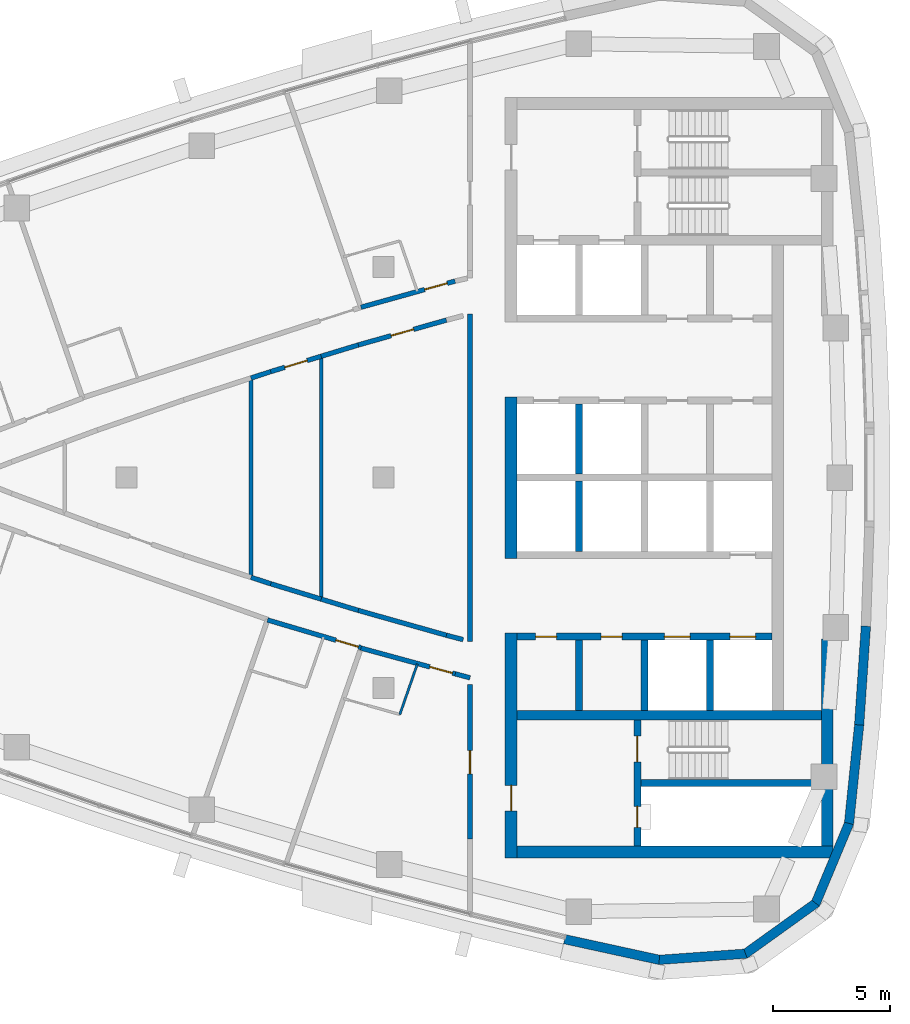
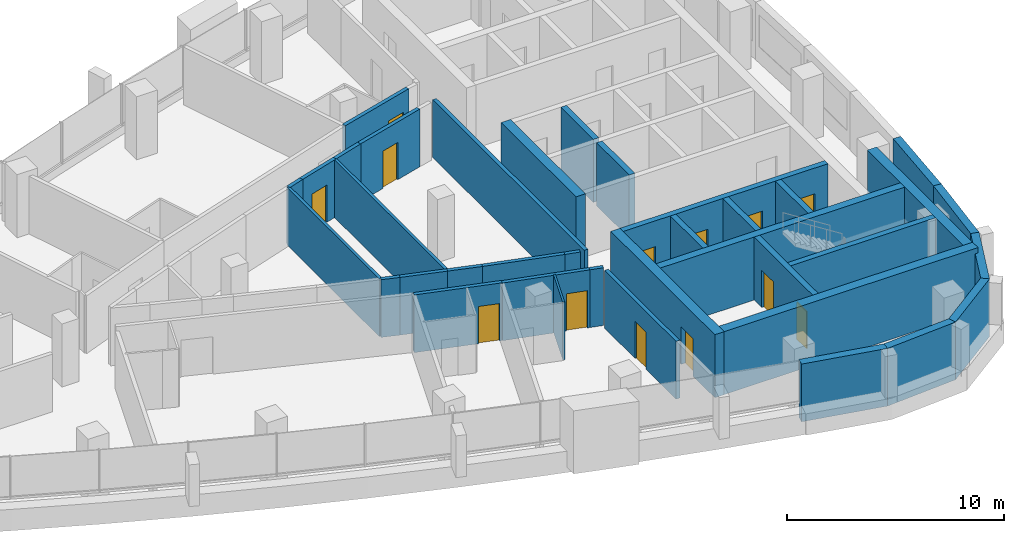
# One storey, part 8 of 14: 37 walls, 13 doors, 13 openings.
"""IFC4 building model written with IfcOpenShell, lengths in metres."""

from ifc_helpers import new_model, si_unit, direction, frame, frame_2d, origin, place, context, subcontext, project, spatial, polyline, rectangle, outline, extrude, material, layer, layer_set, type_object, element, fill, save


model = new_model("IFC4")

# Units and contexts
model_context = context("Model", 3, precision=1e-05, world=origin(), true_north=direction((0.0, 1.0)))
body_context = subcontext(model_context, "Body", "Model", "MODEL_VIEW")
ifc_project = project(units=[si_unit("LENGTHUNIT", "METRE"), si_unit("AREAUNIT", "SQUARE_METRE"), si_unit("VOLUMEUNIT", "CUBIC_METRE"), si_unit("PLANEANGLEUNIT", "RADIAN"), si_unit("MASSUNIT", "GRAM", prefix="KILO")], contexts=[model_context])

# Site, building, storey
site_placement = place(None, origin())
site = spatial("IfcSite", under=ifc_project, at=site_placement, CompositionType="ELEMENT")
building_placement = place(site_placement, origin())
building = spatial("IfcBuilding", under=site, at=building_placement, Name="Ostrand Prow Hotel Tower", CompositionType="ELEMENT")
storey_placement = place(building_placement, frame((0.0, 0.0, 267.89990234375)))
storey = spatial("IfcBuildingStorey", under=building, at=storey_placement, Name="L67", CompositionType="ELEMENT", Elevation=267.89990234375)

# Wall
ifc_material_1 = material(Name="Concrete C50/60", Category="concrete")
ifc_layer_1 = layer(ifc_material_1, 0.300048828125)
ifc_layer_set_1 = layer_set([ifc_layer_1], Name="Concrete C50/60")
wall_type_1 = type_object("IfcWallType", Name="Core wall 300 C50/60", PredefinedType="SHEAR", material=ifc_layer_set_1)
wall_1_placement = place(storey_placement, frame((53.35009765625, 0.14990234375, 0.0), z_axis=(0.0, 0.0, 1.0), x_axis=(0.0, 1.0, 0.0)))
element("IfcWall", 1, at=wall_1_placement, inside=storey, type_object=wall_type_1, Name="Core wall PW-R1-NB", PredefinedType="SHEAR", context=body_context, shape_type="SweptSolid", body=[
    extrude(rectangle(XDim=3.0, YDim=0.300048828125, at=frame_2d((1.5, 0.0))), origin(), (0.0, 0.0, 1.0), 3.550048828125),
])

# Wall, openings, doors
wall_2_placement = place(storey_placement, frame((50.699951171875, -6.800048828125, 0.0), z_axis=(0.0, 0.0, 1.0), x_axis=(1.0, 0.0, 0.0)))
wall_2 = element("IfcWall", 2, at=wall_2_placement, inside=storey, type_object=wall_type_1, Name="Core wall PW-L2-S", PredefinedType="SHEAR", context=body_context, shape_type="SweptSolid", body=[
    extrude(rectangle(XDim=10.900146484375, YDim=0.300048828125, at=frame_2d((5.4501953125, 0.0))), origin(), (0.0, 0.0, 1.0), 3.550048828125),
])
opening_1_placement = place(wall_2_placement, frame((6.300048828125, 0.0, 0.0)))
opening_1 = element("IfcOpeningElement", 3, at=opening_1_placement, cuts=wall_2, Name="Opening LD", PredefinedType="OPENING", context=body_context, shape_type="SweptSolid", body=[
    extrude(rectangle(XDim=1.10009765625, YDim=2.10009765625, at=frame_2d((0.550048828125, 1.050048828125))), frame((0.0, 0.159912109375, 0.0), z_axis=(0.0, -1.0, 0.0), x_axis=(1.0, 0.0, 0.0)), (0.0, 0.0, 1.0), 0.320068359375),
])
opening_2_placement = place(wall_2_placement, frame((9.10009765625, 0.0, 0.0)))
opening_2 = element("IfcOpeningElement", 4, at=opening_2_placement, cuts=wall_2, Name="Opening LD", PredefinedType="OPENING", context=body_context, shape_type="SweptSolid", body=[
    extrude(rectangle(XDim=1.10009765625, YDim=2.10009765625, at=frame_2d((0.550048828125, 1.050048828125))), frame((0.0, 0.159912109375, 0.0), z_axis=(0.0, -1.0, 0.0), x_axis=(1.0, 0.0, 0.0)), (0.0, 0.0, 1.0), 0.320068359375),
])
opening_3_placement = place(wall_2_placement, frame((0.800048828125, 0.0, 0.0)))
opening_3 = element("IfcOpeningElement", 5, at=opening_3_placement, cuts=wall_2, Name="Opening FD2", PredefinedType="OPENING", context=body_context, shape_type="SweptSolid", body=[
    extrude(rectangle(XDim=0.89990234375, YDim=2.10009765625, at=frame_2d((0.449951171875, 1.050048828125))), frame((0.0, 0.159912109375, 0.0), z_axis=(0.0, -1.0, 0.0), x_axis=(1.0, 0.0, 0.0)), (0.0, 0.0, 1.0), 0.320068359375),
])
opening_4_placement = place(wall_2_placement, frame((3.60009765625, 0.0, 0.0)))
opening_4 = element("IfcOpeningElement", 6, at=opening_4_placement, cuts=wall_2, Name="Opening FD2", PredefinedType="OPENING", context=body_context, shape_type="SweptSolid", body=[
    extrude(rectangle(XDim=0.89990234375, YDim=2.10009765625, at=frame_2d((0.449951171875, 1.050048828125))), frame((0.0, 0.159912109375, 0.0), z_axis=(0.0, -1.0, 0.0), x_axis=(1.0, 0.0, 0.0)), (0.0, 0.0, 1.0), 0.320068359375),
])
ifc_material_2 = material(Name="Steel fire door", Category="steel")
door_type_1 = type_object("IfcDoorType", Name="Fire door 900 EI120", OperationType="SINGLE_SWING_LEFT", PredefinedType="DOOR", material=ifc_material_2)
door_1_placement = place(opening_3_placement, origin())
door_1 = element("IfcDoor", 7, at=door_1_placement, inside=storey, type_object=door_type_1, Name="DOOR", OperationType="SINGLE_SWING_LEFT", OverallHeight=2.10009765625, OverallWidth=0.89990234375, PredefinedType="DOOR", context=body_context, shape_type="SweptSolid", body=[
    extrude(rectangle(XDim=0.89990234375, YDim=2.10009765625, at=frame_2d((0.449951171875, 1.050048828125))), frame((0.0, 0.02490234375, 0.0), z_axis=(0.0, -1.0, 0.0), x_axis=(1.0, 0.0, 0.0)), (0.0, 0.0, 1.0), 0.050048828125),
])
fill(opening_3, door_1)
door_2_placement = place(opening_4_placement, origin())
door_2 = element("IfcDoor", 8, at=door_2_placement, inside=storey, type_object=door_type_1, Name="DOOR", OperationType="SINGLE_SWING_LEFT", OverallHeight=2.10009765625, OverallWidth=0.89990234375, PredefinedType="DOOR", context=body_context, shape_type="SweptSolid", body=[
    extrude(rectangle(XDim=0.89990234375, YDim=2.10009765625, at=frame_2d((0.449951171875, 1.050048828125))), frame((0.0, 0.02490234375, 0.0), z_axis=(0.0, -1.0, 0.0), x_axis=(1.0, 0.0, 0.0)), (0.0, 0.0, 1.0), 0.050048828125),
])
fill(opening_4, door_2)
ifc_material_3 = material(Name="Stainless steel door", Category="steel")
door_type_2 = type_object("IfcDoorType", Name="Lift landing door 1100", OperationType="DOUBLE_DOOR_SLIDING", PredefinedType="DOOR", material=ifc_material_3)
door_3_placement = place(opening_1_placement, origin())
door_3 = element("IfcDoor", 9, at=door_3_placement, inside=storey, type_object=door_type_2, Name="LIFT LANDING DOOR", OperationType="DOUBLE_DOOR_SLIDING", OverallHeight=2.10009765625, OverallWidth=1.10009765625, PredefinedType="DOOR", context=body_context, shape_type="SweptSolid", body=[
    extrude(rectangle(XDim=1.10009765625, YDim=2.10009765625, at=frame_2d((0.550048828125, 1.050048828125))), frame((0.0, 0.02490234375, 0.0), z_axis=(0.0, -1.0, 0.0), x_axis=(1.0, 0.0, 0.0)), (0.0, 0.0, 1.0), 0.050048828125),
])
fill(opening_1, door_3)
door_4_placement = place(opening_2_placement, origin())
door_4 = element("IfcDoor", 10, at=door_4_placement, inside=storey, type_object=door_type_2, Name="LIFT LANDING DOOR", OperationType="DOUBLE_DOOR_SLIDING", OverallHeight=2.10009765625, OverallWidth=1.10009765625, PredefinedType="DOOR", context=body_context, shape_type="SweptSolid", body=[
    extrude(rectangle(XDim=1.10009765625, YDim=2.10009765625, at=frame_2d((0.550048828125, 1.050048828125))), frame((0.0, 0.02490234375, 0.0), z_axis=(0.0, -1.0, 0.0), x_axis=(1.0, 0.0, 0.0)), (0.0, 0.0, 1.0), 0.050048828125),
])
fill(opening_2, door_4)

# Walls
for number, where, z_axis, x_axis, name in (
    (11, (53.35009765625, -3.14990234375, 0.0), (0.0, 0.0, 1.0), (0.0, 1.0, 0.0), "Core wall PW-R1-SB"),
    (12, (53.35009765625, -9.949951171875, 0.0), (0.0, 0.0, 1.0), (0.0, 1.0, 0.0), "Core wall PW-R1-SA"),
    (13, (56.14990234375, -9.949951171875, 0.0), (0.0, 0.0, 1.0), (0.0, 1.0, 0.0), "Core wall PW-R2-SA"),
    (14, (58.949951171875, -9.949951171875, 0.0), (0.0, 0.0, 1.0), (0.0, 1.0, 0.0), "Core wall PW-R3-SA"),
):
    element("IfcWall", number, at=place(storey_placement, frame(where, z_axis=z_axis, x_axis=x_axis)), inside=storey, type_object=wall_type_1, Name=name, PredefinedType="SHEAR", context=body_context, shape_type="SweptSolid", body=[
        extrude(rectangle(XDim=3.0, YDim=0.300048828125, at=frame_2d((1.5, 0.0))), origin(), (0.0, 0.0, 1.0), 3.550048828125),
    ])

# Wall, openings, doors
wall_3_placement = place(storey_placement, frame((55.85009765625, -15.75, 0.0), z_axis=(0.0, 0.0, 1.0), x_axis=(0.0, 1.0, 0.0)))
wall_3 = element("IfcWall", 15, at=wall_3_placement, inside=storey, type_object=wall_type_1, Name="Core wall PW-VS", PredefinedType="SHEAR", context=body_context, shape_type="SweptSolid", body=[
    extrude(rectangle(XDim=5.39990234375, YDim=0.300048828125, at=frame_2d((2.699951171875, 0.0))), origin(), (0.0, 0.0, 1.0), 3.550048828125),
])
opening_5_placement = place(wall_3_placement, frame((3.60009765625, 0.0, 0.0)))
opening_5 = element("IfcOpeningElement", 16, at=opening_5_placement, cuts=wall_3, Name="Opening FD1", PredefinedType="OPENING", context=body_context, shape_type="SweptSolid", body=[
    extrude(rectangle(XDim=1.10009765625, YDim=2.10009765625, at=frame_2d((0.550048828125, 1.050048828125))), frame((0.0, 0.159912109375, 0.0), z_axis=(0.0, -1.0, 0.0), x_axis=(1.0, 0.0, 0.0)), (0.0, 0.0, 1.0), 0.320068359375),
])
opening_6_placement = place(wall_3_placement, frame((0.800048828125, 0.0, 0.0)))
opening_6 = element("IfcOpeningElement", 17, at=opening_6_placement, cuts=wall_3, Name="Opening FD2", PredefinedType="OPENING", context=body_context, shape_type="SweptSolid", body=[
    extrude(rectangle(XDim=0.89990234375, YDim=2.10009765625, at=frame_2d((0.449951171875, 1.050048828125))), frame((0.0, 0.159912109375, 0.0), z_axis=(0.0, -1.0, 0.0), x_axis=(1.0, 0.0, 0.0)), (0.0, 0.0, 1.0), 0.320068359375),
])
ifc_material_4 = material(Name="Steel fire door", Category="steel")
door_type_3 = type_object("IfcDoorType", Name="Fire door 1100 EI120", OperationType="SINGLE_SWING_RIGHT", PredefinedType="DOOR", material=ifc_material_4)
door_5_placement = place(opening_5_placement, origin())
door_5 = element("IfcDoor", 18, at=door_5_placement, inside=storey, type_object=door_type_3, Name="FIRE DOOR", OperationType="SINGLE_SWING_RIGHT", OverallHeight=2.10009765625, OverallWidth=1.10009765625, PredefinedType="DOOR", context=body_context, shape_type="SweptSolid", body=[
    extrude(rectangle(XDim=1.10009765625, YDim=2.10009765625, at=frame_2d((0.550048828125, 1.050048828125))), frame((0.0, 0.02490234375, 0.0), z_axis=(0.0, -1.0, 0.0), x_axis=(1.0, 0.0, 0.0)), (0.0, 0.0, 1.0), 0.050048828125),
])
fill(opening_5, door_5)
door_6_placement = place(opening_6_placement, origin())
door_6 = element("IfcDoor", 19, at=door_6_placement, inside=storey, type_object=door_type_1, Name="FIRE DOOR", OperationType="SINGLE_SWING_LEFT", OverallHeight=2.10009765625, OverallWidth=0.89990234375, PredefinedType="DOOR", context=body_context, shape_type="SweptSolid", body=[
    extrude(rectangle(XDim=0.89990234375, YDim=2.10009765625, at=frame_2d((0.449951171875, 1.050048828125))), frame((0.0, 0.02490234375, 0.0), z_axis=(0.0, -1.0, 0.0), x_axis=(1.0, 0.0, 0.0)), (0.0, 0.0, 1.0), 0.050048828125),
])
fill(opening_6, door_6)

# Walls
wall_4_placement = place(storey_placement, frame((56.0, -13.050048828125, 0.0), z_axis=(0.0, 0.0, 1.0), x_axis=(1.0, 0.0, 0.0)))
element("IfcWall", 20, at=wall_4_placement, inside=storey, type_object=wall_type_1, Name="Core wall PW-ST2R", PredefinedType="SHEAR", context=body_context, shape_type="SweptSolid", body=[
    extrude(rectangle(XDim=7.719970703125, YDim=0.300048828125, at=frame_2d((3.85986328125, 0.0))), origin(), (0.0, 0.0, 1.0), 3.550048828125),
])
ifc_material_5 = material(Name="Concrete C50/60", Category="concrete")
ifc_layer_2 = layer(ifc_material_5, 0.39990234375)
ifc_layer_set_2 = layer_set([ifc_layer_2], Name="Concrete C50/60")
wall_type_2 = type_object("IfcWallType", Name="Core wall 400 C50/60", PredefinedType="SHEAR", material=ifc_layer_set_2)
wall_5_placement = place(storey_placement, frame((50.699951171875, -10.14990234375, 0.0), z_axis=(0.0, 0.0, 1.0), x_axis=(1.0, 0.0, 0.0)))
element("IfcWall", 21, at=wall_5_placement, inside=storey, type_object=wall_type_2, Name="Core wall PW-BS", PredefinedType="SHEAR", context=body_context, shape_type="SweptSolid", body=[
    extrude(rectangle(XDim=13.02001953125, YDim=0.39990234375, at=frame_2d((6.510009765625, 0.0))), origin(), (0.0, 0.0, 1.0), 3.550048828125),
])
ifc_material_6 = material(Name="Concrete C50/60", Category="concrete")
ifc_layer_3 = layer(ifc_material_6, 0.5)
ifc_layer_set_3 = layer_set([ifc_layer_3], Name="Concrete C50/60")
wall_type_3 = type_object("IfcWallType", Name="Core wall 500 C50/60", PredefinedType="SHEAR", material=ifc_layer_set_3)
wall_6_placement = place(storey_placement, frame((50.449951171875, -3.449951171875, 0.0), z_axis=(0.0, 0.0, 1.0), x_axis=(0.0, 1.0, 0.0)))
element("IfcWall", 22, at=wall_6_placement, inside=storey, type_object=wall_type_3, Name="Core wall CW-W-C", PredefinedType="SHEAR", context=body_context, shape_type="SweptSolid", body=[
    extrude(rectangle(XDim=6.89990234375, YDim=0.5, at=frame_2d((3.449951171875, 0.0))), origin(), (0.0, 0.0, 1.0), 3.550048828125),
])

# Wall, opening, door
wall_7_placement = place(storey_placement, frame((50.449951171875, -16.25, 0.0), z_axis=(0.0, 0.0, 1.0), x_axis=(0.0, 1.0, 0.0)))
wall_7 = element("IfcWall", 23, at=wall_7_placement, inside=storey, type_object=wall_type_3, Name="Core wall CW-W-S", PredefinedType="SHEAR", context=body_context, shape_type="SweptSolid", body=[
    extrude(rectangle(XDim=9.60009765625, YDim=0.5, at=frame_2d((4.800048828125, 0.0))), origin(), (0.0, 0.0, 1.0), 3.550048828125),
])
opening_7_placement = place(wall_7_placement, frame((2.0, 0.0, 0.0)))
opening_7 = element("IfcOpeningElement", 24, at=opening_7_placement, cuts=wall_7, Name="Opening FD1", PredefinedType="OPENING", context=body_context, shape_type="SweptSolid", body=[
    extrude(rectangle(XDim=1.10009765625, YDim=2.10009765625, at=frame_2d((0.550048828125, 1.050048828125))), frame((0.0, 0.260009765625, 0.0), z_axis=(0.0, -1.0, 0.0), x_axis=(1.0, 0.0, 0.0)), (0.0, 0.0, 1.0), 0.52001953125),
])
door_7_placement = place(opening_7_placement, origin())
door_7 = element("IfcDoor", 25, at=door_7_placement, inside=storey, type_object=door_type_3, Name="FIRE DOOR", OperationType="SINGLE_SWING_RIGHT", OverallHeight=2.10009765625, OverallWidth=1.10009765625, PredefinedType="DOOR", context=body_context, shape_type="SweptSolid", body=[
    extrude(rectangle(XDim=1.10009765625, YDim=2.10009765625, at=frame_2d((0.550048828125, 1.050048828125))), frame((0.0, 0.02490234375, 0.0), z_axis=(0.0, -1.0, 0.0), x_axis=(1.0, 0.0, 0.0)), (0.0, 0.0, 1.0), 0.050048828125),
])
fill(opening_7, door_7)

# Walls
wall_8_placement = place(storey_placement, frame((50.699951171875, -16.0, 0.0), z_axis=(0.0, 0.0, 1.0), x_axis=(1.0, 0.0, 0.0)))
element("IfcWall", 26, at=wall_8_placement, inside=storey, type_object=wall_type_3, Name="Core wall CW-S", PredefinedType="SHEAR", context=body_context, shape_type="SweptSolid", body=[
    extrude(rectangle(XDim=13.52001953125, YDim=0.5, at=frame_2d((6.760009765625, 0.0))), origin(), (0.0, 0.0, 1.0), 3.550048828125),
])
wall_9_placement = place(storey_placement, frame((63.969970703125, -15.75, 0.0), z_axis=(0.0, 0.0, 1.0), x_axis=(0.0, 1.0, 0.0)))
element("IfcWall", 27, at=wall_9_placement, inside=storey, type_object=wall_type_3, Name="Core wall CW-E-S", PredefinedType="SHEAR", context=body_context, shape_type="SweptSolid", body=[
    extrude(rectangle(XDim=8.8466796875, YDim=0.5, at=frame_2d((4.42333984375, 0.0))), origin(), (0.0, 0.0, 1.0), 3.550048828125),
])
ifc_material_7 = material(Name="Plasterboard partition")
ifc_layer_4 = layer(ifc_material_7, 0.10009765625)
ifc_layer_set_4 = layer_set([ifc_layer_4], Name="Plasterboard partition")
wall_type_4 = type_object("IfcWallType", Name="Partition 100 bathroom wall", PredefinedType="PARTITIONING", material=ifc_layer_set_4)
wall_10_placement = place(storey_placement, frame((46.4404296875, -7.968994140625, 0.0), z_axis=(0.0, 0.0, 1.0), x_axis=(-0.327764902685, -0.944759317799, 0.0)))
element("IfcWall", 28, at=wall_10_placement, inside=storey, type_object=wall_type_4, Name="BATHROOM WALL", PredefinedType="PARTITIONING", context=body_context, shape_type="SweptSolid", body=[
    extrude(rectangle(XDim=2.28076171875, YDim=0.10009765625, at=frame_2d((1.140380859375, 0.0))), origin(), (0.0, 0.0, 1.0), 3.25),
])
ifc_material_8 = material(Name="Plasterboard partition")
ifc_layer_5 = layer(ifc_material_8, 0.14990234375)
ifc_layer_set_5 = layer_set([ifc_layer_5], Name="Plasterboard partition")
wall_type_5 = type_object("IfcWallType", Name="Partition 150 room partition", PredefinedType="PARTITIONING", material=ifc_layer_set_5)
wall_11_placement = place(storey_placement, frame((39.32958984375, -4.260498046875, 0.0), z_axis=(0.0, 0.0, 1.0), x_axis=(0.0, 1.0, 0.0)))
element("IfcWall", 29, at=wall_11_placement, inside=storey, type_object=wall_type_5, Name="ROOM PARTITION", PredefinedType="PARTITIONING", context=body_context, shape_type="SweptSolid", body=[
    extrude(rectangle(XDim=8.52099609375, YDim=0.14990234375, at=frame_2d((4.260498046875, 0.0))), origin(), (0.0, 0.0, 1.0), 3.25),
])
wall_12_placement = place(storey_placement, frame((42.32958984375, -5.19140625, 0.0), z_axis=(0.0, 0.0, 1.0), x_axis=(0.0, 1.0, 0.0)))
element("IfcWall", 30, at=wall_12_placement, inside=storey, type_object=wall_type_5, Name="ROOM PARTITION", PredefinedType="PARTITIONING", context=body_context, shape_type="SweptSolid", body=[
    extrude(rectangle(XDim=10.3828125, YDim=0.14990234375, at=frame_2d((5.19140625, 0.0))), origin(), (0.0, 0.0, 1.0), 3.25),
])

# Wall, opening, door
ifc_material_9 = material(Name="Plasterboard partition")
ifc_layer_6 = layer(ifc_material_9, 0.199951171875)
ifc_layer_set_6 = layer_set([ifc_layer_6], Name="Plasterboard partition")
wall_type_6 = type_object("IfcWallType", Name="Partition 200 corridor wall", PredefinedType="PARTITIONING", material=ifc_layer_set_6)
wall_13_placement = place(storey_placement, frame((48.055908203125, 8.4052734375, 0.0), z_axis=(0.0, 0.0, 1.0), x_axis=(-0.963429942227, -0.267960344866, 0.0)))
wall_13 = element("IfcWall", 31, at=wall_13_placement, inside=storey, type_object=wall_type_6, Name="CORRIDOR WALL", PredefinedType="PARTITIONING", context=body_context, shape_type="SweptSolid", body=[
    extrude(rectangle(XDim=4.177490234375, YDim=0.199951171875, at=frame_2d((2.0888671875, 0.0))), origin(), (0.0, 0.0, 1.0), 3.25),
])
opening_8_placement = place(wall_13_placement, frame((0.35009765625, 0.0, 0.0)))
opening_8 = element("IfcOpeningElement", 32, at=opening_8_placement, cuts=wall_13, Name="Opening D1R", PredefinedType="OPENING", context=body_context, shape_type="SweptSolid", body=[
    extrude(rectangle(XDim=1.0, YDim=2.10009765625, at=frame_2d((0.5, 1.050048828125))), frame((0.0, 0.10986328125, 0.0), z_axis=(0.0, -1.0, 0.0), x_axis=(1.0, 0.0, 0.0)), (0.0, 0.0, 1.0), 0.219970703125),
])
ifc_material_10 = material(Name="Timber door leaf", Category="wood")
door_type_4 = type_object("IfcDoorType", Name="Guest room door 1000 right", OperationType="SINGLE_SWING_RIGHT", PredefinedType="DOOR", material=ifc_material_10)
door_8_placement = place(opening_8_placement, origin())
door_8 = element("IfcDoor", 33, at=door_8_placement, inside=storey, type_object=door_type_4, Name="DOOR", OperationType="SINGLE_SWING_RIGHT", OverallHeight=2.10009765625, OverallWidth=1.0, PredefinedType="DOOR", context=body_context, shape_type="SweptSolid", body=[
    extrude(rectangle(XDim=1.0, YDim=2.10009765625, at=frame_2d((0.5, 1.050048828125))), frame((0.0, 0.02490234375, 0.0), z_axis=(0.0, -1.0, 0.0), x_axis=(1.0, 0.0, 0.0)), (0.0, 0.0, 1.0), 0.050048828125),
])
fill(opening_8, door_8)

wall_14_placement = place(storey_placement, frame((40.035400390625, -6.08251953125, 0.0), z_axis=(0.0, 0.0, 1.0), x_axis=(0.958901312153, -0.283739799027, 0.0)))
wall_14 = element("IfcWall", 34, at=wall_14_placement, inside=storey, type_object=wall_type_6, Name="CORRIDOR WALL", PredefinedType="PARTITIONING", context=body_context, shape_type="SweptSolid", body=[
    extrude(rectangle(XDim=4.174072265625, YDim=0.199951171875, at=frame_2d((2.0869140625, 0.0))), origin(), (0.0, 0.0, 1.0), 3.25),
])
opening_9_placement = place(wall_14_placement, frame((3.050048828125, 0.0, 0.0)))
opening_9 = element("IfcOpeningElement", 35, at=opening_9_placement, cuts=wall_14, Name="Opening D1R", PredefinedType="OPENING", context=body_context, shape_type="SweptSolid", body=[
    extrude(rectangle(XDim=1.0, YDim=2.10009765625, at=frame_2d((0.5, 1.050048828125))), frame((0.0, 0.10986328125, 0.0), z_axis=(0.0, -1.0, 0.0), x_axis=(1.0, 0.0, 0.0)), (0.0, 0.0, 1.0), 0.219970703125),
])
door_9_placement = place(opening_9_placement, origin())
door_9 = element("IfcDoor", 36, at=door_9_placement, inside=storey, type_object=door_type_4, Name="DOOR", OperationType="SINGLE_SWING_RIGHT", OverallHeight=2.10009765625, OverallWidth=1.0, PredefinedType="DOOR", context=body_context, shape_type="SweptSolid", body=[
    extrude(rectangle(XDim=1.0, YDim=2.10009765625, at=frame_2d((0.5, 1.050048828125))), frame((0.0, 0.02490234375, 0.0), z_axis=(0.0, -1.0, 0.0), x_axis=(1.0, 0.0, 0.0)), (0.0, 0.0, 1.0), 0.050048828125),
])
fill(opening_9, door_9)

wall_15_placement = place(storey_placement, frame((44.03125, -7.285888671875, 0.0), z_axis=(0.0, 0.0, 1.0), x_axis=(0.964708521199, -0.263320088726, 0.0)))
wall_15 = element("IfcWall", 37, at=wall_15_placement, inside=storey, type_object=wall_type_6, Name="CORRIDOR WALL", PredefinedType="PARTITIONING", context=body_context, shape_type="SweptSolid", body=[
    extrude(rectangle(XDim=4.1787109375, YDim=0.199951171875, at=frame_2d((2.08935546875, 0.0))), origin(), (0.0, 0.0, 1.0), 3.25),
])
opening_10_placement = place(wall_15_placement, frame((3.050048828125, 0.0, 0.0)))
opening_10 = element("IfcOpeningElement", 38, at=opening_10_placement, cuts=wall_15, Name="Opening D1R", PredefinedType="OPENING", context=body_context, shape_type="SweptSolid", body=[
    extrude(rectangle(XDim=1.0, YDim=2.10009765625, at=frame_2d((0.5, 1.050048828125))), frame((0.0, 0.10986328125, 0.0), z_axis=(0.0, -1.0, 0.0), x_axis=(1.0, 0.0, 0.0)), (0.0, 0.0, 1.0), 0.219970703125),
])
door_10_placement = place(opening_10_placement, origin())
door_10 = element("IfcDoor", 39, at=door_10_placement, inside=storey, type_object=door_type_4, Name="DOOR", OperationType="SINGLE_SWING_RIGHT", OverallHeight=2.10009765625, OverallWidth=1.0, PredefinedType="DOOR", context=body_context, shape_type="SweptSolid", body=[
    extrude(rectangle(XDim=1.0, YDim=2.10009765625, at=frame_2d((0.5, 1.050048828125))), frame((0.0, 0.02490234375, 0.0), z_axis=(0.0, -1.0, 0.0), x_axis=(1.0, 0.0, 0.0)), (0.0, 0.0, 1.0), 0.050048828125),
])
fill(opening_10, door_10)

wall_16_placement = place(storey_placement, frame((40.1748046875, 4.5361328125, 0.0), z_axis=(0.0, 0.0, 1.0), x_axis=(0.956739496331, 0.290945933396, 0.0)))
wall_16 = element("IfcWall", 40, at=wall_16_placement, inside=storey, type_object=wall_type_6, Name="CORRIDOR WALL", PredefinedType="PARTITIONING", context=body_context, shape_type="SweptSolid", body=[
    extrude(rectangle(XDim=2.252197265625, YDim=0.199951171875, at=frame_2d((1.1259765625, 0.0))), origin(), (0.0, 0.0, 1.0), 3.25),
])
opening_11_placement = place(wall_16_placement, frame((0.626220703125, 0.0, 0.0)))
opening_11 = element("IfcOpeningElement", 41, at=opening_11_placement, cuts=wall_16, Name="Opening D1R", PredefinedType="OPENING", context=body_context, shape_type="SweptSolid", body=[
    extrude(rectangle(XDim=1.0, YDim=2.10009765625, at=frame_2d((0.5, 1.050048828125))), frame((0.0, 0.10986328125, 0.0), z_axis=(0.0, -1.0, 0.0), x_axis=(1.0, 0.0, 0.0)), (0.0, 0.0, 1.0), 0.219970703125),
])
door_11_placement = place(opening_11_placement, origin())
door_11 = element("IfcDoor", 42, at=door_11_placement, inside=storey, type_object=door_type_4, Name="DOOR", OperationType="SINGLE_SWING_RIGHT", OverallHeight=2.10009765625, OverallWidth=1.0, PredefinedType="DOOR", context=body_context, shape_type="SweptSolid", body=[
    extrude(rectangle(XDim=1.0, YDim=2.10009765625, at=frame_2d((0.5, 1.050048828125))), frame((0.0, 0.02490234375, 0.0), z_axis=(0.0, -1.0, 0.0), x_axis=(1.0, 0.0, 0.0)), (0.0, 0.0, 1.0), 0.050048828125),
])
fill(opening_11, door_11)

# Walls
wall_17_placement = place(storey_placement, frame((42.32958984375, -5.19140625, 0.0), z_axis=(0.0, 0.0, 1.0), x_axis=(-0.956739496331, 0.290945933396, 0.0)))
element("IfcWall", 43, at=wall_17_placement, inside=storey, type_object=wall_type_6, Name="CORRIDOR WALL", PredefinedType="PARTITIONING", context=body_context, shape_type="SweptSolid", body=[
    extrude(rectangle(XDim=2.252197265625, YDim=0.199951171875, at=frame_2d((1.1259765625, 0.0))), origin(), (0.0, 0.0, 1.0), 3.25),
])
for number, where, z_axis, x_axis, name in (
    (44, (40.1748046875, -4.5361328125, 0.0), (0.0, 0.0, 1.0), (-0.950722800792, 0.310042184314, 0.0), "CORRIDOR WALL"),
    (45, (39.32958984375, 4.260498046875, 0.0), (0.0, 0.0, 1.0), (0.950722800792, 0.310042184314, 0.0), "CORRIDOR WALL"),
):
    element("IfcWall", number, at=place(storey_placement, frame(where, z_axis=z_axis, x_axis=x_axis)), inside=storey, type_object=wall_type_6, Name=name, PredefinedType="PARTITIONING", context=body_context, shape_type="SweptSolid", body=[
        extrude(rectangle(XDim=0.888916015625, YDim=0.199951171875, at=frame_2d((0.4443359375, 0.0))), origin(), (0.0, 0.0, 1.0), 3.25),
    ])

# Wall, opening, door
wall_18_placement = place(storey_placement, frame((43.91845703125, 5.6748046875, 0.0), z_axis=(0.0, 0.0, 1.0), x_axis=(0.962411212211, 0.271596499628, 0.0)))
wall_18 = element("IfcWall", 46, at=wall_18_placement, inside=storey, type_object=wall_type_6, Name="CORRIDOR WALL", PredefinedType="PARTITIONING", context=body_context, shape_type="SweptSolid", body=[
    extrude(rectangle(XDim=3.912841796875, YDim=0.199951171875, at=frame_2d((1.95654296875, 0.0))), origin(), (0.0, 0.0, 1.0), 3.25),
])
opening_12_placement = place(wall_18_placement, frame((1.45654296875, 0.0, 0.0)))
opening_12 = element("IfcOpeningElement", 47, at=opening_12_placement, cuts=wall_18, Name="Opening D1", PredefinedType="OPENING", context=body_context, shape_type="SweptSolid", body=[
    extrude(rectangle(XDim=1.0, YDim=2.10009765625, at=frame_2d((0.5, 1.050048828125))), frame((0.0, 0.10986328125, 0.0), z_axis=(0.0, -1.0, 0.0), x_axis=(1.0, 0.0, 0.0)), (0.0, 0.0, 1.0), 0.219970703125),
])
ifc_material_11 = material(Name="Timber door leaf", Category="wood")
door_type_5 = type_object("IfcDoorType", Name="Guest room door 1000", OperationType="SINGLE_SWING_LEFT", PredefinedType="DOOR", material=ifc_material_11)
door_12_placement = place(opening_12_placement, origin())
door_12 = element("IfcDoor", 48, at=door_12_placement, inside=storey, type_object=door_type_5, Name="DOOR", OperationType="SINGLE_SWING_LEFT", OverallHeight=2.10009765625, OverallWidth=1.0, PredefinedType="DOOR", context=body_context, shape_type="SweptSolid", body=[
    extrude(rectangle(XDim=1.0, YDim=2.10009765625, at=frame_2d((0.5, 1.050048828125))), frame((0.0, 0.02490234375, 0.0), z_axis=(0.0, -1.0, 0.0), x_axis=(1.0, 0.0, 0.0)), (0.0, 0.0, 1.0), 0.050048828125),
])
fill(opening_12, door_12)

# Walls
wall_19_placement = place(storey_placement, frame((47.684326171875, -6.737548828125, 0.0), z_axis=(0.0, 0.0, 1.0), x_axis=(-0.962411212211, 0.271596499628, 0.0)))
element("IfcWall", 49, at=wall_19_placement, inside=storey, type_object=wall_type_6, Name="CORRIDOR WALL", PredefinedType="PARTITIONING", context=body_context, shape_type="SweptSolid", body=[
    extrude(rectangle(XDim=3.912841796875, YDim=0.199951171875, at=frame_2d((1.95654296875, 0.0))), origin(), (0.0, 0.0, 1.0), 3.25),
])
for number, where, z_axis, x_axis, name in (
    (50, (43.91845703125, -5.6748046875, 0.0), (0.0, 0.0, 1.0), (-0.956702361065, 0.291068020115, 0.0), "CORRIDOR WALL"),
    (51, (42.32958984375, 5.19140625, 0.0), (0.0, 0.0, 1.0), (0.956702361065, 0.291068020115, 0.0), "CORRIDOR WALL"),
):
    element("IfcWall", number, at=place(storey_placement, frame(where, z_axis=z_axis, x_axis=x_axis)), inside=storey, type_object=wall_type_6, Name=name, PredefinedType="PARTITIONING", context=body_context, shape_type="SweptSolid", body=[
        extrude(rectangle(XDim=1.660888671875, YDim=0.199951171875, at=frame_2d((0.83056640625, 0.0))), origin(), (0.0, 0.0, 1.0), 3.25),
    ])
wall_20_placement = place(storey_placement, frame((48.39990234375, -6.92431640625, 0.0), z_axis=(0.0, 0.0, 1.0), x_axis=(-0.967585713416, 0.252542842294, 0.0)))
element("IfcWall", 52, at=wall_20_placement, inside=storey, type_object=wall_type_6, Name="CORRIDOR WALL", PredefinedType="PARTITIONING", context=body_context, shape_type="SweptSolid", body=[
    extrude(rectangle(XDim=0.739501953125, YDim=0.199951171875, at=frame_2d((0.36962890625, 0.0))), origin(), (0.0, 0.0, 1.0), 3.25),
])

# Wall, opening, door
wall_21_placement = place(storey_placement, frame((48.695068359375, -8.85205078125, 0.0), z_axis=(0.0, 0.0, 1.0), x_axis=(0.0, -1.0, 0.0)))
wall_21 = element("IfcWall", 53, at=wall_21_placement, inside=storey, type_object=wall_type_6, Name="CORRIDOR WALL", PredefinedType="PARTITIONING", context=body_context, shape_type="SweptSolid", body=[
    extrude(rectangle(XDim=6.60302734375, YDim=0.199951171875, at=frame_2d((3.301513671875, 0.0))), origin(), (0.0, 0.0, 1.0), 3.25),
])
opening_13_placement = place(wall_21_placement, frame((2.81591796875, 0.0, 0.0)))
opening_13 = element("IfcOpeningElement", 54, at=opening_13_placement, cuts=wall_21, Name="Opening D1", PredefinedType="OPENING", context=body_context, shape_type="SweptSolid", body=[
    extrude(rectangle(XDim=1.0, YDim=2.10009765625, at=frame_2d((0.5, 1.050048828125))), frame((0.0, 0.10986328125, 0.0), z_axis=(0.0, -1.0, 0.0), x_axis=(1.0, 0.0, 0.0)), (0.0, 0.0, 1.0), 0.219970703125),
])
door_13_placement = place(opening_13_placement, origin())
door_13 = element("IfcDoor", 55, at=door_13_placement, inside=storey, type_object=door_type_5, Name="DOOR", OperationType="SINGLE_SWING_LEFT", OverallHeight=2.10009765625, OverallWidth=1.0, PredefinedType="DOOR", context=body_context, shape_type="SweptSolid", body=[
    extrude(rectangle(XDim=1.0, YDim=2.10009765625, at=frame_2d((0.5, 1.050048828125))), frame((0.0, 0.02490234375, 0.0), z_axis=(0.0, -1.0, 0.0), x_axis=(1.0, 0.0, 0.0)), (0.0, 0.0, 1.0), 0.050048828125),
])
fill(opening_13, door_13)

# Walls
wall_22_placement = place(storey_placement, frame((48.695068359375, 6.995849609375, 0.0), z_axis=(0.0, 0.0, 1.0), x_axis=(0.0, -1.0, 0.0)))
element("IfcWall", 56, at=wall_22_placement, inside=storey, type_object=wall_type_6, Name="CORRIDOR WALL", PredefinedType="PARTITIONING", context=body_context, shape_type="SweptSolid", body=[
    extrude(rectangle(XDim=13.99169921875, YDim=0.199951171875, at=frame_2d((6.995849609375, 0.0))), origin(), (0.0, 0.0, 1.0), 3.25),
])
wall_23_placement = place(storey_placement, frame((48.0625, -8.38623046875, 0.0), z_axis=(0.0, 0.0, 1.0), x_axis=(0.965669715173, -0.259772980114, 0.0)))
element("IfcWall", 57, at=wall_23_placement, inside=storey, type_object=wall_type_6, Name="CORRIDOR WALL", PredefinedType="PARTITIONING", context=body_context, shape_type="SweptSolid", body=[
    extrude(rectangle(XDim=0.655029296875, YDim=0.199951171875, at=frame_2d((0.32763671875, 0.0))), origin(), (0.0, 0.0, 1.0), 3.25),
])
ifc_material_12 = material(Name="Precast concrete C40/50", Category="concrete")
ifc_layer_7 = layer(ifc_material_12, 0.39990234375)
ifc_layer_set_7 = layer_set([ifc_layer_7], Name="Precast concrete C40/50")
wall_type_7 = type_object("IfcWallType", Name="Stone-faced precast wall 400 mm", PredefinedType="NOTDEFINED", material=ifc_layer_set_7)
wall_24_placement = place(storey_placement, frame((52.73828125, -19.73193359375, 0.0), z_axis=(0.0, 0.0, 1.0), x_axis=(0.977020225348, -0.213146614471, 0.0)))
element("IfcWall", 58, at=wall_24_placement, inside=storey, type_object=wall_type_7, Name="Stone-faced wall back 1", PredefinedType="NOTDEFINED", context=body_context, shape_type="SweptSolid", body=[
    extrude(outline(polyline([(0.0, -0.199951171875), (4.170654296875, -0.199951171875), (4.113037109375, 0.199951171875), (0.0, 0.199951171875), (0.0, -0.199951171875)])), origin(), (0.0, 0.0, 1.0), 3.25),
])
wall_25_placement = place(storey_placement, frame((56.784912109375, -20.61474609375, 0.0), z_axis=(0.0, 0.0, 1.0), x_axis=(0.99746272096, 0.071190731806, 0.0)))
element("IfcWall", 59, at=wall_25_placement, inside=storey, type_object=wall_type_7, Name="Stone-faced wall back 2", PredefinedType="NOTDEFINED", context=body_context, shape_type="SweptSolid", body=[
    extrude(outline(polyline([(-0.02880859375, -0.199951171875), (3.75341796875, -0.199951171875), (3.64013671875, 0.199951171875), (0.02880859375, 0.199951171875), (-0.02880859375, -0.199951171875)])), origin(), (0.0, 0.0, 1.0), 3.25),
])
wall_26_placement = place(storey_placement, frame((60.472412109375, -20.3515625, 0.0), z_axis=(0.0, 0.0, 1.0), x_axis=(0.811962548682, 0.583709533533, 0.0)))
element("IfcWall", 60, at=wall_26_placement, inside=storey, type_object=wall_type_7, Name="Stone-faced wall back 3", PredefinedType="NOTDEFINED", context=body_context, shape_type="SweptSolid", body=[
    extrude(outline(polyline([(-0.056640625, -0.199951171875), (3.753173828125, -0.199951171875), (3.639892578125, 0.199951171875), (0.056640625, 0.199951171875), (-0.056640625, -0.199951171875)])), origin(), (0.0, 0.0, 1.0), 3.25),
])
wall_27_placement = place(storey_placement, frame((63.473876953125, -18.19384765625, 0.0), z_axis=(0.0, 0.0, 1.0), x_axis=(0.385285857918, 0.922797273343, 0.0)))
element("IfcWall", 61, at=wall_27_placement, inside=storey, type_object=wall_type_7, Name="Stone-faced wall back 4", PredefinedType="NOTDEFINED", context=body_context, shape_type="SweptSolid", body=[
    extrude(outline(polyline([(-0.056640625, -0.199951171875), (3.726318359375, -0.199951171875), (3.667236328125, 0.199951171875), (0.056640625, 0.199951171875), (-0.056640625, -0.199951171875)])), origin(), (0.0, 0.0, 1.0), 3.25),
])
wall_28_placement = place(storey_placement, frame((64.898193359375, -14.782470703125, 0.0), z_axis=(0.0, 0.0, 1.0), x_axis=(0.102249826987, 0.994758751096, 0.0)))
element("IfcWall", 62, at=wall_28_placement, inside=storey, type_object=wall_type_7, Name="Stone-faced wall back 5", PredefinedType="NOTDEFINED", context=body_context, shape_type="SweptSolid", body=[
    extrude(outline(polyline([(-0.029541015625, -0.199951171875), (4.23681640625, -0.199951171875), (4.22998046875, 0.199951171875), (0.029541015625, 0.199951171875), (-0.029541015625, -0.199951171875)])), origin(), (0.0, 0.0, 1.0), 3.25),
])
wall_29_placement = place(storey_placement, frame((65.3310546875, -10.5712890625, 0.0), z_axis=(0.0, 0.0, 1.0), x_axis=(0.068279584479, 0.997666225921, 0.0)))
element("IfcWall", 63, at=wall_29_placement, inside=storey, type_object=wall_type_7, Name="Stone-faced wall back 6", PredefinedType="NOTDEFINED", context=body_context, shape_type="SweptSolid", body=[
    extrude(outline(polyline([(-0.00341796875, -0.199951171875), (4.23681640625, -0.199951171875), (4.22998046875, 0.199951171875), (0.00341796875, 0.199951171875), (-0.00341796875, -0.199951171875)])), origin(), (0.0, 0.0, 1.0), 3.25),
])

save(model, "model.ifc")
